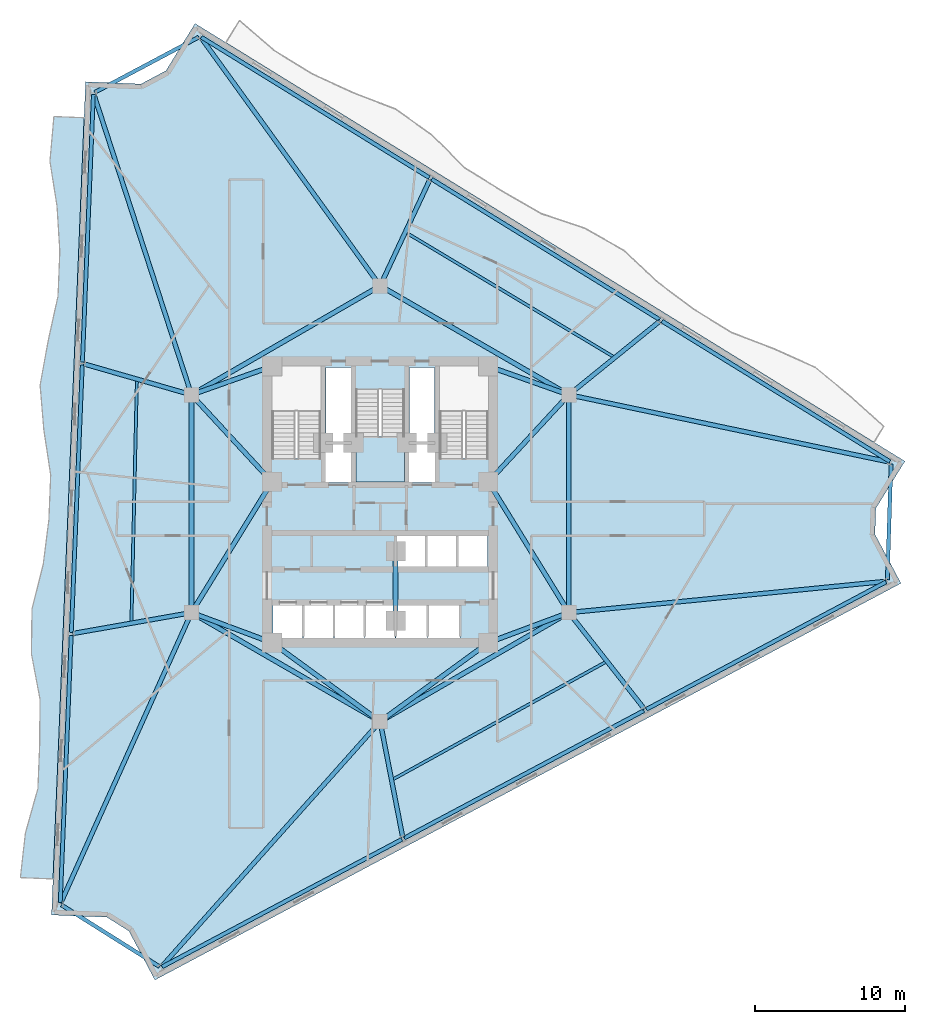
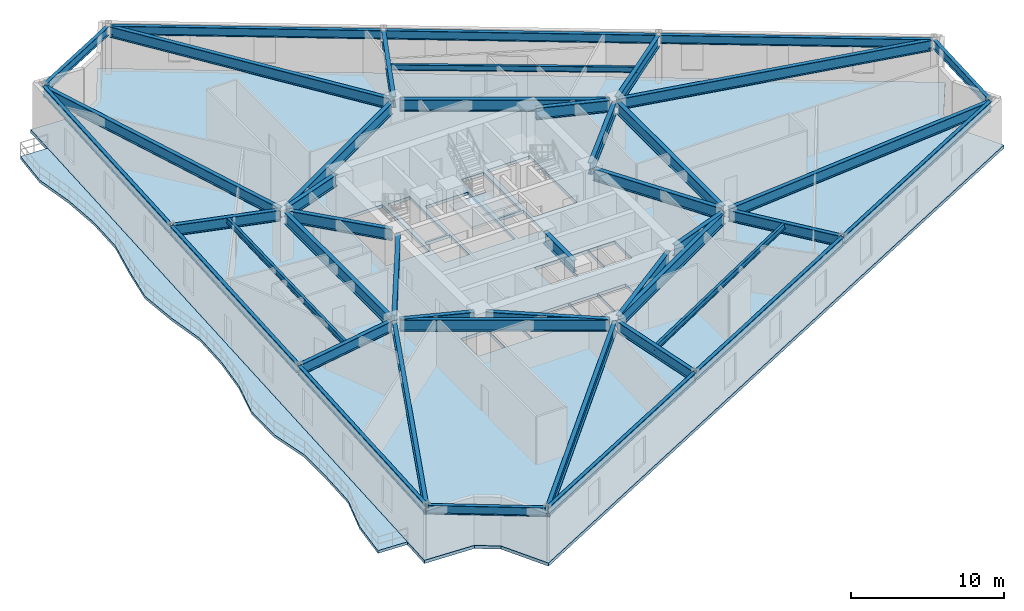
# One storey, part 3 of 10: 44 beams, 3 slabs, 1 element without a shape of its own.
"""IFC4 building model written with IfcOpenShell, lengths in metres."""

from ifc_helpers import new_model, si_unit, direction, frame, origin, origin_2d, place, context, subcontext, project, spatial, polyline, i_section, outline, extrude, material, layer, layer_set, material_profile, profile_set, type_object, element, aggregate, save


model = new_model("IFC4")

# Units and contexts
model_context = context("Model", 3, precision=1e-05, world=origin(), true_north=direction((0.0, 1.0)))
body_context = subcontext(model_context, "Body", "Model", "MODEL_VIEW")
ifc_project = project(units=[si_unit("LENGTHUNIT", "METRE"), si_unit("AREAUNIT", "SQUARE_METRE"), si_unit("VOLUMEUNIT", "CUBIC_METRE"), si_unit("PLANEANGLEUNIT", "RADIAN"), si_unit("MASSUNIT", "GRAM", prefix="KILO")], contexts=[model_context])

# Site, building, storey
site_placement = place(None, origin())
site = spatial("IfcSite", under=ifc_project, at=site_placement, CompositionType="ELEMENT")
building_placement = place(site_placement, origin())
building = spatial("IfcBuilding", under=site, at=building_placement, Name="Apsidion Concourse Tower", CompositionType="ELEMENT")
storey_placement = place(building_placement, frame((0.0, 0.0, 177.800048828125)))
storey = spatial("IfcBuildingStorey", under=building, at=storey_placement, Name="L41", CompositionType="ELEMENT", Elevation=177.800048828125)

# Beams
ifc_material_1 = material(Name="Structural steel ASTM A992 Grade 50", Category="steel")
ifc_material_profile_1 = material_profile(ifc_material_1, i_section(OverallWidth=0.19091796875, OverallDepth=0.45703125, WebThickness=0.009033203125, FlangeThickness=0.014404296875, at=origin_2d()), Name="W18X50")
ifc_profile_set_1 = profile_set([ifc_material_profile_1], Name="Structural steel ASTM A992 Grade 50")
beam_type_1 = type_object("IfcBeamType", Name="BM-FL-W18", PredefinedType="BEAM", material=ifc_profile_set_1)
beam_1_placement = place(storey_placement, frame((-16.192138671875, 8.29248046875, 3.621337890625), z_axis=(-0.022697860677, -0.999742370374, 0.0), x_axis=(0.999742370374, -0.022697860677, 0.0)))
element("IfcBeam", 1, at=beam_1_placement, inside=storey, type_object=beam_type_1, Name="L41 Secondary Floor Beam SEC-F1", PredefinedType="BEAM", context=body_context, shape_type="SweptSolid", body=[
    extrude(i_section(OverallWidth=0.19091796875, OverallDepth=0.45703125, WebThickness=0.009033203125, FlangeThickness=0.014404296875, at=origin_2d()), origin(), (0.0, 0.0, 1.0), 16.25244140625),
])
beam_2_placement = place(storey_placement, frame((0.760009765625, -18.40087890625, 3.621337890625), z_axis=(0.87560616621, 0.483025715355, 0.0), x_axis=(-0.483025715355, 0.87560616621, 0.0)))
element("IfcBeam", 2, at=beam_2_placement, inside=storey, type_object=beam_type_1, Name="L41 Secondary Floor Beam SEC-F2", PredefinedType="BEAM", context=body_context, shape_type="SweptSolid", body=[
    extrude(i_section(OverallWidth=0.19091796875, OverallDepth=0.45703125, WebThickness=0.009033203125, FlangeThickness=0.014404296875, at=origin_2d()), origin(), (0.0, 0.0, 1.0), 16.376708984375),
])
beam_3_placement = place(storey_placement, frame((15.619384765625, 9.7265625, 3.621337890625), z_axis=(-0.85795243344, 0.513729132865, 0.0), x_axis=(-0.513729132865, -0.85795243344, 0.0)))
element("IfcBeam", 3, at=beam_3_placement, inside=storey, type_object=beam_type_1, Name="L41 Secondary Floor Beam SEC-F3", PredefinedType="BEAM", context=body_context, shape_type="SweptSolid", body=[
    extrude(i_section(OverallWidth=0.19091796875, OverallDepth=0.45703125, WebThickness=0.009033203125, FlangeThickness=0.014404296875, at=origin_2d()), origin(), (0.0, 0.0, 1.0), 16.25537109375),
])
ifc_material_profile_2 = material_profile(ifc_material_1, i_section(OverallWidth=0.2919921875, OverallDepth=0.85888671875, WebThickness=0.01708984375, FlangeThickness=0.031005859375, at=origin_2d()), Name="W33X169")
ifc_profile_set_2 = profile_set([ifc_material_profile_2], Name="Structural steel ASTM A992 Grade 50")
beam_type_2 = type_object("IfcBeamType", Name="BM-G-W33", PredefinedType="USERDEFINED", material=ifc_profile_set_2)
beam_4_placement = place(storey_placement, frame((-12.6279296875, 7.459228515625, 3.42041015625), z_axis=(-0.309075984528, 0.95103734721, 0.0), x_axis=(-0.95103734721, -0.309075984528, 0.0)))
element("IfcBeam", 4, at=beam_4_placement, inside=storey, type_object=beam_type_2, Name="L41 Radial Floor Girder RAD-01", ObjectType="GIRDER", PredefinedType="USERDEFINED", context=body_context, shape_type="SweptSolid", body=[
    extrude(i_section(OverallWidth=0.2919921875, OverallDepth=0.85888671875, WebThickness=0.01708984375, FlangeThickness=0.031005859375, at=origin_2d()), origin(), (0.0, 0.0, 1.0), 20.794921875),
])
beam_5_placement = place(storey_placement, frame((-12.771484375, 7.310791015625, 3.42041015625), z_axis=(-0.961194838859, 0.275870407531, 0.0), x_axis=(-0.275870407531, -0.961194838859, 0.0)))
element("IfcBeam", 5, at=beam_5_placement, inside=storey, type_object=beam_type_2, Name="L41 Radial Floor Girder RAD-02", ObjectType="GIRDER", PredefinedType="USERDEFINED", context=body_context, shape_type="SweptSolid", body=[
    extrude(i_section(OverallWidth=0.2919921875, OverallDepth=0.85888671875, WebThickness=0.01708984375, FlangeThickness=0.031005859375, at=origin_2d()), origin(), (0.0, 0.0, 1.0), 7.2373046875),
])
beam_6_placement = place(storey_placement, frame((-12.776611328125, -7.2880859375, 3.42041015625), z_axis=(-0.9848005578, -0.173688978798, 0.0), x_axis=(0.173688978798, -0.9848005578, 0.0)))
element("IfcBeam", 6, at=beam_6_placement, inside=storey, type_object=beam_type_2, Name="L41 Radial Floor Girder RAD-03", ObjectType="GIRDER", PredefinedType="USERDEFINED", context=body_context, shape_type="SweptSolid", body=[
    extrude(i_section(OverallWidth=0.2919921875, OverallDepth=0.85888671875, WebThickness=0.01708984375, FlangeThickness=0.031005859375, at=origin_2d()), origin(), (0.0, 0.0, 1.0), 7.805419921875),
])
beam_7_placement = place(storey_placement, frame((-12.650390625, -7.45068359375, 3.42041015625), z_axis=(-0.410615485001, -0.911808600243, 0.0), x_axis=(0.911808600243, -0.410615485001, 0.0)))
element("IfcBeam", 7, at=beam_7_placement, inside=storey, type_object=beam_type_2, Name="L41 Radial Floor Girder RAD-04", ObjectType="GIRDER", PredefinedType="USERDEFINED", context=body_context, shape_type="SweptSolid", body=[
    extrude(i_section(OverallWidth=0.2919921875, OverallDepth=0.85888671875, WebThickness=0.01708984375, FlangeThickness=0.031005859375, at=origin_2d()), origin(), (0.0, 0.0, 1.0), 20.964599609375),
])
beam_8_placement = place(storey_placement, frame((-0.146484375, -14.664306640625, 3.42041015625), z_axis=(-0.665534428073, -0.746367151642, 0.0), x_axis=(0.746367151642, -0.665534428073, 0.0)))
element("IfcBeam", 8, at=beam_8_placement, inside=storey, type_object=beam_type_2, Name="L41 Radial Floor Girder RAD-05", ObjectType="GIRDER", PredefinedType="USERDEFINED", context=body_context, shape_type="SweptSolid", body=[
    extrude(i_section(OverallWidth=0.2919921875, OverallDepth=0.85888671875, WebThickness=0.01708984375, FlangeThickness=0.031005859375, at=origin_2d()), origin(), (0.0, 0.0, 1.0), 21.616455078125),
])
beam_9_placement = place(storey_placement, frame((0.0419921875, -14.7158203125, 3.42041015625), z_axis=(0.191214845848, -0.981548207032, 0.0), x_axis=(0.981548207032, 0.191214845848, 0.0)))
element("IfcBeam", 9, at=beam_9_placement, inside=storey, type_object=beam_type_2, Name="L41 Radial Floor Girder RAD-06", ObjectType="GIRDER", PredefinedType="USERDEFINED", context=body_context, shape_type="SweptSolid", body=[
    extrude(i_section(OverallWidth=0.2919921875, OverallDepth=0.85888671875, WebThickness=0.01708984375, FlangeThickness=0.031005859375, at=origin_2d()), origin(), (0.0, 0.0, 1.0), 7.62890625),
])
beam_10_placement = place(storey_placement, frame((12.69580078125, -7.423095703125, 3.42041015625), z_axis=(0.616838796002, -0.787089511902, 0.0), x_axis=(0.787089511902, 0.616838796002, 0.0)))
element("IfcBeam", 10, at=beam_10_placement, inside=storey, type_object=beam_type_2, Name="L41 Radial Floor Girder RAD-07", ObjectType="GIRDER", PredefinedType="USERDEFINED", context=body_context, shape_type="SweptSolid", body=[
    extrude(i_section(OverallWidth=0.2919921875, OverallDepth=0.85888671875, WebThickness=0.01708984375, FlangeThickness=0.031005859375, at=origin_2d()), origin(), (0.0, 0.0, 1.0), 7.914306640625),
])
beam_11_placement = place(storey_placement, frame((12.77880859375, -7.228515625, 3.42041015625), z_axis=(0.995176296258, 0.098102698054, 0.0), x_axis=(-0.098102698054, 0.995176296258, 0.0)))
element("IfcBeam", 11, at=beam_11_placement, inside=storey, type_object=beam_type_2, Name="L41 Radial Floor Girder RAD-08", ObjectType="GIRDER", PredefinedType="USERDEFINED", context=body_context, shape_type="SweptSolid", body=[
    extrude(i_section(OverallWidth=0.2919921875, OverallDepth=0.85888671875, WebThickness=0.01708984375, FlangeThickness=0.031005859375, at=origin_2d()), origin(), (0.0, 0.0, 1.0), 20.981689453125),
])
beam_12_placement = place(storey_placement, frame((12.775390625, 7.204833984375, 3.42041015625), z_axis=(0.978712115689, -0.20523789758, 0.0), x_axis=(0.20523789758, 0.978712115689, 0.0)))
element("IfcBeam", 12, at=beam_12_placement, inside=storey, type_object=beam_type_2, Name="L41 Radial Floor Girder RAD-09", ObjectType="GIRDER", PredefinedType="USERDEFINED", context=body_context, shape_type="SweptSolid", body=[
    extrude(i_section(OverallWidth=0.2919921875, OverallDepth=0.85888671875, WebThickness=0.01708984375, FlangeThickness=0.031005859375, at=origin_2d()), origin(), (0.0, 0.0, 1.0), 21.597412109375),
])
beam_13_placement = place(storey_placement, frame((12.73095703125, 7.388427734375, 3.42041015625), z_axis=(0.777235083984, 0.629210317958, 0.0), x_axis=(-0.629210317958, 0.777235083984, 0.0)))
element("IfcBeam", 13, at=beam_13_placement, inside=storey, type_object=beam_type_2, Name="L41 Radial Floor Girder RAD-10", ObjectType="GIRDER", PredefinedType="USERDEFINED", context=body_context, shape_type="SweptSolid", body=[
    extrude(i_section(OverallWidth=0.2919921875, OverallDepth=0.85888671875, WebThickness=0.01708984375, FlangeThickness=0.031005859375, at=origin_2d()), origin(), (0.0, 0.0, 1.0), 7.55224609375),
])
beam_14_placement = place(storey_placement, frame((0.09326171875, 14.69921875, 3.42041015625), z_axis=(0.423634804892, 0.905833070761, 0.0), x_axis=(-0.905833070761, 0.423634804892, 0.0)))
element("IfcBeam", 14, at=beam_14_placement, inside=storey, type_object=beam_type_2, Name="L41 Radial Floor Girder RAD-11", ObjectType="GIRDER", PredefinedType="USERDEFINED", context=body_context, shape_type="SweptSolid", body=[
    extrude(i_section(OverallWidth=0.2919921875, OverallDepth=0.85888671875, WebThickness=0.01708984375, FlangeThickness=0.031005859375, at=origin_2d()), origin(), (0.0, 0.0, 1.0), 7.578857421875),
])
beam_15_placement = place(storey_placement, frame((-0.12890625, 14.678466796875, 3.42041015625), z_axis=(-0.58524513155, 0.810856421321, 0.0), x_axis=(-0.810856421321, -0.58524513155, 0.0)))
element("IfcBeam", 15, at=beam_15_placement, inside=storey, type_object=beam_type_2, Name="L41 Radial Floor Girder RAD-12", ObjectType="GIRDER", PredefinedType="USERDEFINED", context=body_context, shape_type="SweptSolid", body=[
    extrude(i_section(OverallWidth=0.2919921875, OverallDepth=0.85888671875, WebThickness=0.01708984375, FlangeThickness=0.031005859375, at=origin_2d()), origin(), (0.0, 0.0, 1.0), 20.16015625),
])
ifc_material_profile_3 = material_profile(ifc_material_1, i_section(OverallWidth=0.31005859375, OverallDepth=0.931884765625, WebThickness=0.02099609375, FlangeThickness=0.034423828125, at=origin_2d()), Name="W36X210")
ifc_profile_set_3 = profile_set([ifc_material_profile_3], Name="Structural steel ASTM A992 Grade 50")
beam_type_3 = type_object("IfcBeamType", Name="BM-G-W36", PredefinedType="USERDEFINED", material=ifc_profile_set_3)
beam_16_placement = place(storey_placement, frame((-12.185302734375, -7.389892578125, 3.384033203125), z_axis=(0.936913021145, -0.349562570664, 0.0), x_axis=(0.349562570664, 0.936913021145, 0.0)))
element("IfcBeam", 16, at=beam_16_placement, inside=storey, type_object=beam_type_3, Name="L41 Core Coupling Girder IC1-SC1", ObjectType="GIRDER", PredefinedType="USERDEFINED", context=body_context, shape_type="SweptSolid", body=[
    extrude(i_section(OverallWidth=0.31005859375, OverallDepth=0.931884765625, WebThickness=0.02099609375, FlangeThickness=0.034423828125, at=origin_2d()), origin(), (0.0, 0.0, 1.0), 4.921142578125),
])
beam_17_placement = place(storey_placement, frame((-12.35009765625, -6.909423828125, 3.384033203125), z_axis=(0.524524009763, 0.851395656074, 0.0), x_axis=(-0.851395656074, 0.524524009763, 0.0)))
element("IfcBeam", 17, at=beam_17_placement, inside=storey, type_object=beam_type_3, Name="L41 Core Coupling Girder IC1-SC6", ObjectType="GIRDER", PredefinedType="USERDEFINED", context=body_context, shape_type="SweptSolid", body=[
    extrude(i_section(OverallWidth=0.31005859375, OverallDepth=0.931884765625, WebThickness=0.02099609375, FlangeThickness=0.034423828125, at=origin_2d()), origin(), (0.0, 0.0, 1.0), 9.41845703125),
])
beam_18_placement = place(storey_placement, frame((12.185302734375, -7.389892578125, 3.384033203125), z_axis=(-0.936913021145, -0.349562570664, 0.0), x_axis=(0.349562570664, -0.936913021145, 0.0)))
element("IfcBeam", 18, at=beam_18_placement, inside=storey, type_object=beam_type_3, Name="L41 Core Coupling Girder IC2-SC2", ObjectType="GIRDER", PredefinedType="USERDEFINED", context=body_context, shape_type="SweptSolid", body=[
    extrude(i_section(OverallWidth=0.31005859375, OverallDepth=0.931884765625, WebThickness=0.02099609375, FlangeThickness=0.034423828125, at=origin_2d()), origin(), (0.0, 0.0, 1.0), 4.921142578125),
])
beam_19_placement = place(storey_placement, frame((12.35009765625, -6.909423828125, 3.384033203125), z_axis=(-0.524524009763, 0.851395656074, 0.0), x_axis=(-0.851395656074, -0.524524009763, 0.0)))
element("IfcBeam", 19, at=beam_19_placement, inside=storey, type_object=beam_type_3, Name="L41 Core Coupling Girder IC2-SC3", ObjectType="GIRDER", PredefinedType="USERDEFINED", context=body_context, shape_type="SweptSolid", body=[
    extrude(i_section(OverallWidth=0.31005859375, OverallDepth=0.931884765625, WebThickness=0.02099609375, FlangeThickness=0.034423828125, at=origin_2d()), origin(), (0.0, 0.0, 1.0), 9.41845703125),
])
beam_20_placement = place(storey_placement, frame((12.28857421875, 6.956298828125, 3.384033203125), z_axis=(-0.678712876106, -0.73440372535, 0.0), x_axis=(0.73440372535, -0.678712876106, 0.0)))
element("IfcBeam", 20, at=beam_20_placement, inside=storey, type_object=beam_type_3, Name="L41 Core Coupling Girder IC3-SC3", ObjectType="GIRDER", PredefinedType="USERDEFINED", context=body_context, shape_type="SweptSolid", body=[
    extrude(i_section(OverallWidth=0.31005859375, OverallDepth=0.931884765625, WebThickness=0.02099609375, FlangeThickness=0.034423828125, at=origin_2d()), origin(), (0.0, 0.0, 1.0), 7.097412109375),
])
beam_21_placement = place(storey_placement, frame((12.18310546875, 7.383544921875, 3.384033203125), z_axis=(-0.942533844539, 0.334110688094, 0.0), x_axis=(-0.334110688094, -0.942533844539, 0.0)))
element("IfcBeam", 21, at=beam_21_placement, inside=storey, type_object=beam_type_3, Name="L41 Core Coupling Girder IC3-SC4", ObjectType="GIRDER", PredefinedType="USERDEFINED", context=body_context, shape_type="SweptSolid", body=[
    extrude(i_section(OverallWidth=0.31005859375, OverallDepth=0.931884765625, WebThickness=0.02099609375, FlangeThickness=0.034423828125, at=origin_2d()), origin(), (0.0, 0.0, 1.0), 4.886962890625),
])
beam_22_placement = place(storey_placement, frame((-12.28857421875, 6.956298828125, 3.384033203125), z_axis=(0.678712876106, -0.73440372535, 0.0), x_axis=(0.73440372535, 0.678712876106, 0.0)))
element("IfcBeam", 22, at=beam_22_placement, inside=storey, type_object=beam_type_3, Name="L41 Core Coupling Girder IC5-SC6", ObjectType="GIRDER", PredefinedType="USERDEFINED", context=body_context, shape_type="SweptSolid", body=[
    extrude(i_section(OverallWidth=0.31005859375, OverallDepth=0.931884765625, WebThickness=0.02099609375, FlangeThickness=0.034423828125, at=origin_2d()), origin(), (0.0, 0.0, 1.0), 7.097412109375),
])
beam_23_placement = place(storey_placement, frame((-12.18310546875, 7.383544921875, 3.384033203125), z_axis=(0.942533844539, 0.334110688094, 0.0), x_axis=(-0.334110688094, 0.942533844539, 0.0)))
element("IfcBeam", 23, at=beam_23_placement, inside=storey, type_object=beam_type_3, Name="L41 Core Coupling Girder IC5-SC5", ObjectType="GIRDER", PredefinedType="USERDEFINED", context=body_context, shape_type="SweptSolid", body=[
    extrude(i_section(OverallWidth=0.31005859375, OverallDepth=0.931884765625, WebThickness=0.02099609375, FlangeThickness=0.034423828125, at=origin_2d()), origin(), (0.0, 0.0, 1.0), 4.886962890625),
])
for number, where, z_axis, x_axis, name in (
    (24, (-0.3232421875, -14.264404296875, 3.384033203125), (-0.807993498909, 0.589191399905, 0.0), (-0.589191399905, -0.807993498909, 0.0), "L41 Core Coupling Girder IC6-SC1"),
    (25, (0.3232421875, -14.264404296875, 3.384033203125), (0.807993498909, 0.589191399905, 0.0), (-0.589191399905, 0.807993498909, 0.0), "L41 Core Coupling Girder IC6-SC2"),
):
    element("IfcBeam", number, at=place(storey_placement, frame(where, z_axis=z_axis, x_axis=x_axis)), inside=storey, type_object=beam_type_3, Name=name, ObjectType="GIRDER", PredefinedType="USERDEFINED", context=body_context, shape_type="SweptSolid", body=[
        extrude(i_section(OverallWidth=0.31005859375, OverallDepth=0.931884765625, WebThickness=0.02099609375, FlangeThickness=0.034423828125, at=origin_2d()), origin(), (0.0, 0.0, 1.0), 8.11083984375),
    ])
beam_24_placement = place(storey_placement, frame((-12.56005859375, -6.85009765625, 3.384033203125), z_axis=(0.0, 1.0, 0.0), x_axis=(-1.0, 0.0, 0.0)))
element("IfcBeam", 26, at=beam_24_placement, inside=storey, type_object=beam_type_3, Name="L41 Core Coupling Girder IC1-IC5", ObjectType="GIRDER", PredefinedType="USERDEFINED", context=body_context, shape_type="SweptSolid", body=[
    extrude(i_section(OverallWidth=0.31005859375, OverallDepth=0.931884765625, WebThickness=0.02099609375, FlangeThickness=0.034423828125, at=origin_2d()), origin(), (0.0, 0.0, 1.0), 13.7001953125),
])
for number, where, z_axis, x_axis, name in (
    (27, (-12.213623046875, 7.449951171875, 3.384033203125), (0.866070471464, 0.499921932364, 0.0), (-0.499921932364, 0.866070471464, 0.0), "L41 Core Coupling Girder IC5-IC4"),
    (28, (0.346435546875, 14.300048828125, 3.384033203125), (0.866070471464, -0.499921932364, 0.0), (0.499921932364, 0.866070471464, 0.0), "L41 Core Coupling Girder IC4-IC3"),
):
    element("IfcBeam", number, at=place(storey_placement, frame(where, z_axis=z_axis, x_axis=x_axis)), inside=storey, type_object=beam_type_3, Name=name, ObjectType="GIRDER", PredefinedType="USERDEFINED", context=body_context, shape_type="SweptSolid", body=[
        extrude(i_section(OverallWidth=0.31005859375, OverallDepth=0.931884765625, WebThickness=0.02099609375, FlangeThickness=0.034423828125, at=origin_2d()), origin(), (0.0, 0.0, 1.0), 13.702392578125),
    ])
beam_25_placement = place(storey_placement, frame((12.56005859375, 6.85009765625, 3.384033203125), z_axis=(0.0, -1.0, 0.0), x_axis=(1.0, 0.0, 0.0)))
element("IfcBeam", 29, at=beam_25_placement, inside=storey, type_object=beam_type_3, Name="L41 Core Coupling Girder IC3-IC2", ObjectType="GIRDER", PredefinedType="USERDEFINED", context=body_context, shape_type="SweptSolid", body=[
    extrude(i_section(OverallWidth=0.31005859375, OverallDepth=0.931884765625, WebThickness=0.02099609375, FlangeThickness=0.034423828125, at=origin_2d()), origin(), (0.0, 0.0, 1.0), 13.7001953125),
])
for number, where, z_axis, x_axis, name in (
    (30, (12.213623046875, -7.449951171875, 3.384033203125), (-0.866070471464, -0.499921932364, 0.0), (0.499921932364, -0.866070471464, 0.0), "L41 Core Coupling Girder IC2-IC6"),
    (31, (-0.346435546875, -14.300048828125, 3.384033203125), (-0.866070471464, 0.499921932364, 0.0), (-0.499921932364, -0.866070471464, 0.0), "L41 Core Coupling Girder IC6-IC1"),
):
    element("IfcBeam", number, at=place(storey_placement, frame(where, z_axis=z_axis, x_axis=x_axis)), inside=storey, type_object=beam_type_3, Name=name, ObjectType="GIRDER", PredefinedType="USERDEFINED", context=body_context, shape_type="SweptSolid", body=[
        extrude(i_section(OverallWidth=0.31005859375, OverallDepth=0.931884765625, WebThickness=0.02099609375, FlangeThickness=0.034423828125, at=origin_2d()), origin(), (0.0, 0.0, 1.0), 13.702392578125),
    ])
beam_26_placement = place(storey_placement, frame((1.02490234375, -3.550048828125, 3.384033203125), z_axis=(0.0, -1.0, 0.0), x_axis=(1.0, 0.0, 0.0)))
element("IfcBeam", 32, at=beam_26_placement, inside=storey, type_object=beam_type_3, Name="L41 Core Coupling Girder CC5-CC6", ObjectType="GIRDER", PredefinedType="USERDEFINED", context=body_context, shape_type="SweptSolid", body=[
    extrude(i_section(OverallWidth=0.31005859375, OverallDepth=0.931884765625, WebThickness=0.02099609375, FlangeThickness=0.034423828125, at=origin_2d()), origin(), (0.0, 0.0, 1.0), 3.849853515625),
])
ifc_material_profile_4 = material_profile(ifc_material_1, i_section(OverallWidth=0.256103515625, OverallDepth=0.693115234375, WebThickness=0.014404296875, FlangeThickness=0.023681640625, at=origin_2d()), Name="W27X114")
ifc_profile_set_4 = profile_set([ifc_material_profile_4], Name="Structural steel ASTM A992 Grade 50")
beam_type_4 = type_object("IfcBeamType", Name="BM-SP-W27", PredefinedType="SPANDREL", material=ifc_profile_set_4)
beam_27_placement = place(storey_placement, frame((-19.090087890625, 27.2314453125, 3.50341796875), z_axis=(-0.040983440282, -0.999159825865, 0.0), x_axis=(0.999159825865, -0.040983440282, 0.0)))
element("IfcBeam", 33, at=beam_27_placement, inside=storey, type_object=beam_type_4, Name="L41 Perimeter Spandrel Girder SP-01", PredefinedType="SPANDREL", context=body_context, shape_type="SweptSolid", body=[
    extrude(i_section(OverallWidth=0.256103515625, OverallDepth=0.693115234375, WebThickness=0.014404296875, FlangeThickness=0.023681640625, at=origin_2d()), origin(), (0.0, 0.0, 1.0), 17.8115234375),
])
for number, where, z_axis, x_axis, name in (
    (34, (-19.828125, 9.235107421875, 3.50341796875), (-0.040970317559, -0.999160364045, 0.0), (0.999160364045, -0.040970317559, 0.0), "L41 Perimeter Spandrel Girder SP-02"),
    (35, (-20.566162109375, -8.76123046875, 3.50341796875), (-0.040970317559, -0.999160364045, 0.0), (0.999160364045, -0.040970317559, 0.0), "L41 Perimeter Spandrel Girder SP-03"),
):
    element("IfcBeam", number, at=place(storey_placement, frame(where, z_axis=z_axis, x_axis=x_axis)), inside=storey, type_object=beam_type_4, Name=name, PredefinedType="SPANDREL", context=body_context, shape_type="SweptSolid", body=[
        extrude(i_section(OverallWidth=0.256103515625, OverallDepth=0.693115234375, WebThickness=0.014404296875, FlangeThickness=0.023681640625, at=origin_2d()), origin(), (0.0, 0.0, 1.0), 17.811279296875),
    ])
beam_28_placement = place(storey_placement, frame((-21.21533203125, -26.710693359375, 3.50341796875), z_axis=(0.846430391353, -0.532499382718, 0.0), x_axis=(0.532499382718, 0.846430391353, 0.0)))
element("IfcBeam", 36, at=beam_28_placement, inside=storey, type_object=beam_type_4, Name="L41 Perimeter Spandrel Girder SP-04", PredefinedType="SPANDREL", context=body_context, shape_type="SweptSolid", body=[
    extrude(i_section(OverallWidth=0.256103515625, OverallDepth=0.693115234375, WebThickness=0.014404296875, FlangeThickness=0.023681640625, at=origin_2d()), origin(), (0.0, 0.0, 1.0), 7.71630859375),
])
beam_29_placement = place(storey_placement, frame((-14.51123046875, -30.825927734375, 3.50341796875), z_axis=(0.882942871348, 0.46948044255, 0.0), x_axis=(-0.46948044255, 0.882942871348, 0.0)))
element("IfcBeam", 37, at=beam_29_placement, inside=storey, type_object=beam_type_4, Name="L41 Perimeter Spandrel Girder SP-05", PredefinedType="SPANDREL", context=body_context, shape_type="SweptSolid", body=[
    extrude(i_section(OverallWidth=0.256103515625, OverallDepth=0.693115234375, WebThickness=0.014404296875, FlangeThickness=0.023681640625, at=origin_2d()), origin(), (0.0, 0.0, 1.0), 18.05615234375),
])
for number, where, z_axis, x_axis, name in (
    (38, (1.608154296875, -22.255126953125, 3.50341796875), (0.88294585151, 0.469474837771, 0.0), (-0.469474837771, 0.88294585151, 0.0), "L41 Perimeter Spandrel Girder SP-06"),
    (39, (17.7275390625, -13.68408203125, 3.50341796875), (0.882951456204, 0.469464296819, 0.0), (-0.469464296819, 0.882951456204, 0.0), "L41 Perimeter Spandrel Girder SP-07"),
):
    element("IfcBeam", number, at=place(storey_placement, frame(where, z_axis=z_axis, x_axis=x_axis)), inside=storey, type_object=beam_type_4, Name=name, PredefinedType="SPANDREL", context=body_context, shape_type="SweptSolid", body=[
        extrude(i_section(OverallWidth=0.256103515625, OverallDepth=0.693115234375, WebThickness=0.014404296875, FlangeThickness=0.023681640625, at=origin_2d()), origin(), (0.0, 0.0, 1.0), 18.056396484375),
    ])
beam_30_placement = place(storey_placement, frame((33.761962890625, -5.060302734375, 3.50341796875), z_axis=(0.031862000175, 0.999492277581, 0.0), x_axis=(-0.999492277581, 0.031862000175, 0.0)))
element("IfcBeam", 40, at=beam_30_placement, inside=storey, type_object=beam_type_4, Name="L41 Perimeter Spandrel Girder SP-08", PredefinedType="SPANDREL", context=body_context, shape_type="SweptSolid", body=[
    extrude(i_section(OverallWidth=0.256103515625, OverallDepth=0.693115234375, WebThickness=0.014404296875, FlangeThickness=0.023681640625, at=origin_2d()), origin(), (0.0, 0.0, 1.0), 7.716064453125),
])
for number, where, z_axis, x_axis, name in (
    (41, (33.92578125, 2.80419921875, 3.50341796875), (-0.851253326815, 0.524754965281, 0.0), (-0.524754965281, -0.851253326815, 0.0), "L41 Perimeter Spandrel Girder SP-09"),
    (42, (18.593505859375, 12.255859375, 3.50341796875), (-0.851253326815, 0.524754965281, 0.0), (-0.524754965281, -0.851253326815, 0.0), "L41 Perimeter Spandrel Girder SP-10"),
    (43, (3.26123046875, 21.70751953125, 3.50341796875), (-0.851253326815, 0.524754965281, 0.0), (-0.524754965281, -0.851253326815, 0.0), "L41 Perimeter Spandrel Girder SP-11"),
):
    element("IfcBeam", number, at=place(storey_placement, frame(where, z_axis=z_axis, x_axis=x_axis)), inside=storey, type_object=beam_type_4, Name=name, PredefinedType="SPANDREL", context=body_context, shape_type="SweptSolid", body=[
        extrude(i_section(OverallWidth=0.256103515625, OverallDepth=0.693115234375, WebThickness=0.014404296875, FlangeThickness=0.023681640625, at=origin_2d()), origin(), (0.0, 0.0, 1.0), 17.8115234375),
    ])
beam_31_placement = place(storey_placement, frame((-12.07421875, 31.059814453125, 3.50341796875), z_axis=(-0.882931431511, -0.469501956599, 0.0), x_axis=(0.469501956599, -0.882931431511, 0.0)))
element("IfcBeam", 44, at=beam_31_placement, inside=storey, type_object=beam_type_4, Name="L41 Perimeter Spandrel Girder SP-12", PredefinedType="SPANDREL", context=body_context, shape_type="SweptSolid", body=[
    extrude(i_section(OverallWidth=0.256103515625, OverallDepth=0.693115234375, WebThickness=0.014404296875, FlangeThickness=0.023681640625, at=origin_2d()), origin(), (0.0, 0.0, 1.0), 7.841552734375),
])

# Slabs
ifc_material_2 = material(Name="Concrete C50/60", Category="concrete")
ifc_layer_1 = layer(ifc_material_2, 0.219970703125)
ifc_layer_set_1 = layer_set([ifc_layer_1], Name="Concrete C50/60")
slab_type_1 = type_object("IfcSlabType", Name="SL-BAL-220", PredefinedType="FLOOR", material=ifc_layer_set_1)
slab_1_placement = place(storey_placement, frame((0.0, 0.0, -0.219970703125)))
element("IfcSlab", 45, at=slab_1_placement, inside=storey, type_object=slab_type_1, Name="L41 Face 1 Rippling Balcony Slab", PredefinedType="FLOOR", context=body_context, shape_type="SweptSolid", body=[
    extrude(outline(polyline([(-19.7080078125, 25.690185546875), (-19.82958984375, 22.709716796875), (-19.951416015625, 19.729248046875), (-20.0732421875, 16.748779296875), (-20.19482421875, 13.768310546875), (-20.316650390625, 10.787841796875), (-20.4384765625, 7.807373046875), (-20.56005859375, 4.826904296875), (-20.681884765625, 1.84619140625), (-20.8037109375, -1.13427734375), (-20.92529296875, -4.11474609375), (-21.047119140625, -7.09521484375), (-21.168701171875, -10.07568359375), (-21.29052734375, -13.05615234375), (-21.412109375, -16.03662109375), (-21.533935546875, -19.01708984375), (-21.65576171875, -21.99755859375), (-21.777587890625, -24.97802734375), (-23.950439453125, -24.889404296875), (-23.612060546875, -21.917724609375), (-22.782958984375, -18.966064453125), (-22.6611328125, -15.985595703125), (-22.643798828125, -13.0009765625), (-23.212158203125, -9.9921875), (-23.17578125, -7.00830078125), (-22.4306640625, -4.05322265625), (-22.052490234375, -1.083251953125), (-21.930908203125, 1.897216796875), (-22.385009765625, 4.9013671875), (-22.635986328125, 7.89697265625), (-22.09375, 10.8603515625), (-21.44384765625, 13.8193359375), (-21.322021484375, 16.7998046875), (-21.5087890625, 19.792724609375), (-21.97998046875, 22.797607421875), (-21.7158203125, 25.772216796875), (-19.7080078125, 25.690185546875)])), origin(), (0.0, 0.0, 1.0), 0.219970703125),
])
ifc_layer_2 = layer(ifc_material_2, 0.25)
ifc_layer_set_2 = layer_set([ifc_layer_2], Name="Concrete C50/60")
slab_type_2 = type_object("IfcSlabType", Name="SL-FLR-250", PredefinedType="FLOOR", material=ifc_layer_set_2)
slab_2_placement = place(storey_placement, frame((0.0, 0.0, -0.25)))
element("IfcSlab", 46, at=slab_2_placement, inside=storey, type_object=slab_type_2, Name="L41 Structural Floor Slab", PredefinedType="FLOOR", context=body_context, shape_type="SweptSolid", body=[
    extrude(outline(polyline([(-12.3203125, 31.964111328125), (-14.256103515625, 28.824951171875), (-15.925048828125, 27.937744140625), (-19.610107421875, 28.088134765625), (-21.87548828125, -27.376220703125), (-18.1904296875, -27.526611328125), (-16.724609375, -28.448486328125), (-14.9931640625, -31.705078125), (34.668701171875, -5.29931640625), (32.937255859375, -2.04296875), (32.992431640625, -0.31201171875), (34.92822265625, 2.826904296875), (-12.3203125, 31.964111328125)]), holes=[polyline([(-3.949951171875, 3.0), (-3.949951171875, 9.14990234375), (-7.199951171875, 9.14990234375), (-7.199951171875, 3.0), (-3.949951171875, 3.0)]), polyline([(7.199951171875, 3.0), (7.199951171875, 9.14990234375), (3.949951171875, 9.14990234375), (3.949951171875, 3.0), (7.199951171875, 3.0)]), polyline([(-1.625, 7.60009765625), (-1.625, 1.449951171875), (1.625, 1.449951171875), (1.625, 7.60009765625), (-1.625, 7.60009765625)]), polyline([(1.054931640625, -4.300048828125), (3.044921875, -4.300048828125), (3.044921875, -2.050048828125), (1.054931640625, -2.050048828125), (1.054931640625, -4.300048828125)]), polyline([(3.10498046875, -4.300048828125), (5.094970703125, -4.300048828125), (5.094970703125, -2.050048828125), (3.10498046875, -2.050048828125), (3.10498046875, -4.300048828125)]), polyline([(5.155029296875, -4.300048828125), (7.14501953125, -4.300048828125), (7.14501953125, -2.050048828125), (5.155029296875, -2.050048828125), (5.155029296875, -4.300048828125)]), polyline([(-7.14501953125, -8.949951171875), (-5.155029296875, -8.949951171875), (-5.155029296875, -6.64990234375), (-7.14501953125, -6.64990234375), (-7.14501953125, -8.949951171875)]), polyline([(-5.094970703125, -8.949951171875), (-3.10498046875, -8.949951171875), (-3.10498046875, -6.64990234375), (-5.094970703125, -6.64990234375), (-5.094970703125, -8.949951171875)]), polyline([(-3.044921875, -8.949951171875), (-1.054931640625, -8.949951171875), (-1.054931640625, -6.64990234375), (-3.044921875, -6.64990234375), (-3.044921875, -8.949951171875)]), polyline([(-0.9951171875, -8.949951171875), (0.9951171875, -8.949951171875), (0.9951171875, -6.64990234375), (-0.9951171875, -6.64990234375), (-0.9951171875, -8.949951171875)]), polyline([(1.044921875, -9.0), (3.155029296875, -9.0), (3.155029296875, -6.64990234375), (1.044921875, -6.64990234375), (1.044921875, -9.0)]), polyline([(3.195068359375, -9.0), (5.304931640625, -9.0), (5.304931640625, -6.64990234375), (3.195068359375, -6.64990234375), (3.195068359375, -9.0)]), polyline([(-3.7099609375, 1.39990234375), (-1.85009765625, 1.39990234375), (-1.85009765625, 4.0), (-3.7099609375, 4.0), (-3.7099609375, 1.39990234375)]), polyline([(1.85009765625, 1.39990234375), (3.7099609375, 1.39990234375), (3.7099609375, 4.0), (1.85009765625, 4.0), (1.85009765625, 1.39990234375)]), polyline([(-3.6201171875, 4.14990234375), (-1.93994140625, 4.14990234375), (-1.93994140625, 9.050048828125), (-3.6201171875, 9.050048828125), (-3.6201171875, 4.14990234375)]), polyline([(1.93994140625, 4.14990234375), (3.6201171875, 4.14990234375), (3.6201171875, 9.050048828125), (1.93994140625, 9.050048828125), (1.93994140625, 4.14990234375)])]), origin(), (0.0, 0.0, 1.0), 0.25),
])

# Stair, slab
ifc_material_3 = material(Name="Precast concrete C40/50", Category="concrete")
stair_type = type_object("IfcStairType", Name="ST-DL-1550", PredefinedType="HALF_TURN_STAIR", material=ifc_material_3)
stair_placement = place(storey_placement, origin())
stair = element("IfcStair", 47, at=stair_placement, inside=storey, type_object=stair_type, Name="L41 Protected Core Exit Stair ST3", PredefinedType="HALF_TURN_STAIR")
ifc_layer_3 = layer(ifc_material_2, 0.199951171875)
ifc_layer_set_3 = layer_set([ifc_layer_3], Name="Concrete C50/60")
slab_type_3 = type_object("IfcSlabType", Name="SL-ST-LAND-200", PredefinedType="LANDING", material=ifc_layer_set_3)
slab_3_placement = place(storey_placement, frame((0.0, 0.0, 1.849853515625)))
slab_3 = element("IfcSlab", 48, at=slab_3_placement, type_object=slab_type_3, Name="ST3 landing 1", PredefinedType="LANDING", context=body_context, shape_type="SweptSolid", body=[
    extrude(outline(polyline([(-1.625, 4.465087890625), (-1.625, 1.449951171875), (1.625, 1.449951171875), (1.625, 4.465087890625), (-1.625, 4.465087890625)])), origin(), (0.0, 0.0, 1.0), 0.2001953125),
])
aggregate(stair, [slab_3])

save(model, "model.ifc")
